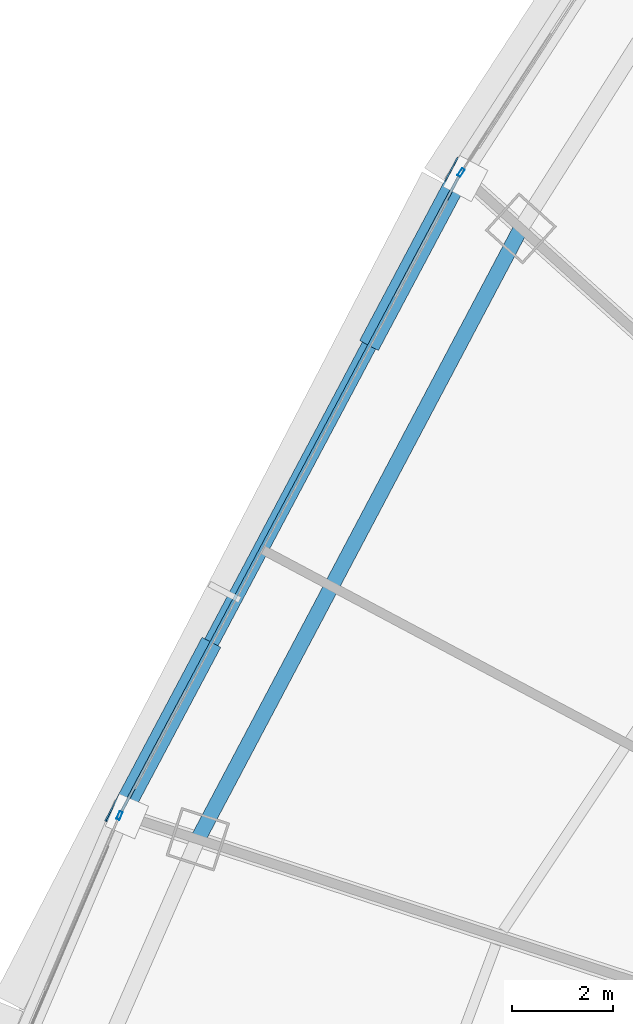
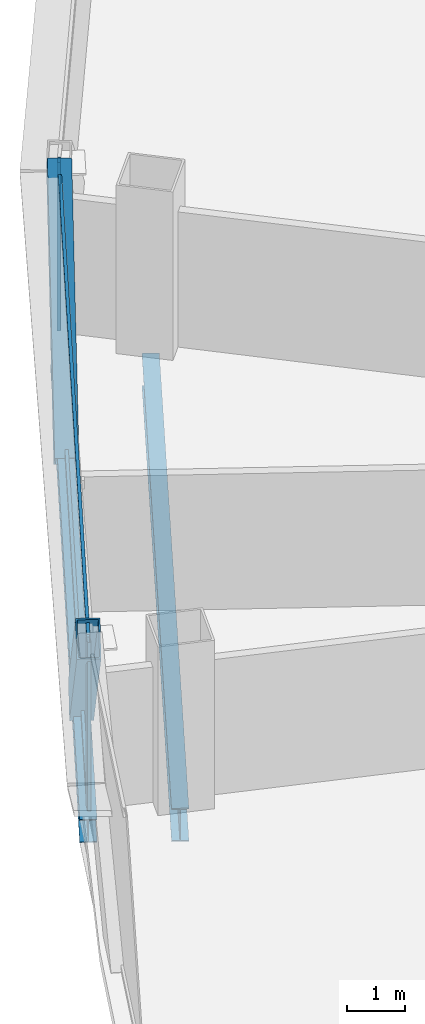
# One storey, part 14 of 36: 6 members, 2 beams, 3 elements without a shape of their own.
"""IFC4 building model written with IfcOpenShell, lengths in metres."""

from ifc_helpers import new_model, si_unit, direction, frame, origin, origin_2d, place, context, subcontext, project, spatial, hollow_rectangle, i_section, extrude, source, transform, mapped, material, layer, layer_set, material_profile, profile_set, type_object, element, aggregate, save


model = new_model("IFC4")

# Units and contexts
model_context = context("Model", 3, precision=1e-05, world=origin(), true_north=direction((0.0, 1.0)))
body_context = subcontext(model_context, "Body", "Model", "MODEL_VIEW")
ifc_project = project(units=[si_unit("LENGTHUNIT", "METRE"), si_unit("AREAUNIT", "SQUARE_METRE"), si_unit("VOLUMEUNIT", "CUBIC_METRE"), si_unit("PLANEANGLEUNIT", "RADIAN"), si_unit("MASSUNIT", "GRAM", prefix="KILO"), si_unit("THERMODYNAMICTEMPERATUREUNIT", "KELVIN"), si_unit("POWERUNIT", "WATT")], contexts=[model_context])

# Site, building, storey
site_placement = place(None, origin())
site = spatial("IfcSite", under=ifc_project, at=site_placement, CompositionType="ELEMENT")
building_placement = place(site_placement, origin())
building = spatial("IfcBuilding", under=site, at=building_placement, Name="Yunzhuo Pagoda Commons", CompositionType="ELEMENT")
storey_placement = place(building_placement, frame((0.0, 0.0, 107.780029296875)))
storey = spatial("IfcBuildingStorey", under=building, at=storey_placement, Name="L27", CompositionType="ELEMENT", Elevation=107.780029296875)

# Beams
ifc_material_1 = material(Name="Structural steel Q355B", Category="steel")
ifc_material_profile_1 = material_profile(ifc_material_1, i_section(OverallWidth=0.300048828125, OverallDepth=0.699951171875, WebThickness=0.012939453125, FlangeThickness=0.02392578125, at=origin_2d()), Name="Structural steel Q355B")
ifc_profile_set_1 = profile_set([ifc_material_profile_1], Name="Structural steel Q355B")
beam_type_1 = type_object("IfcBeamType", Name="B-RG1 Beam HN 700x300x13x24", PredefinedType="BEAM", material=ifc_profile_set_1)
shared_shape_1 = source(origin(), body_context, "Body", "SweptSolid", [
    extrude(i_section(OverallWidth=0.300048828125, OverallDepth=0.699951171875, WebThickness=0.012939453125, FlangeThickness=0.02392578125, at=origin_2d()), origin(), (0.0, 0.0, 1.0), 13.66748046875),
])
beam_1_placement = place(storey_placement, frame((23.397216796875, 55.852294921875, -0.610107421875), z_axis=(-0.467383716456, -0.88405455804, 0.0), x_axis=(0.88405455804, -0.467383716456, 0.0)))
element("IfcBeam", 1, at=beam_1_placement, inside=storey, type_object=beam_type_1, Name="L27 column-ring beam 10", PredefinedType="BEAM", context=body_context, shape_type="MappedRepresentation", body=[
    mapped(shared_shape_1, transform((0.0, 0.0, 0.0), scale=1.0)),
])
ifc_material_profile_2 = material_profile(ifc_material_1, i_section(OverallWidth=0.300048828125, OverallDepth=0.488037109375, WebThickness=0.010986328125, FlangeThickness=0.01806640625, at=origin_2d()), Name="Structural steel Q355B")
ifc_profile_set_2 = profile_set([ifc_material_profile_2], Name="Structural steel Q355B")
beam_type_2 = type_object("IfcBeamType", Name="B-SP1 Beam HM 488x300x11x18", PredefinedType="BEAM", material=ifc_profile_set_2)
shared_shape_2 = source(origin(), body_context, "Body", "SweptSolid", [
    extrude(i_section(OverallWidth=0.300048828125, OverallDepth=0.488037109375, WebThickness=0.010986328125, FlangeThickness=0.01806640625, at=origin_2d()), origin(), (0.0, 0.0, 1.0), 14.33837890625),
])
beam_2_placement = place(storey_placement, frame((22.198974609375, 56.931640625, -0.504150390625), z_axis=(-0.469097542789, -0.883146361228, 0.0), x_axis=(0.883146361228, -0.469097542789, 0.0)))
element("IfcBeam", 2, at=beam_2_placement, inside=storey, type_object=beam_type_2, Name="L27 facade edge spandrel beam F3.2", PredefinedType="BEAM", context=body_context, shape_type="MappedRepresentation", body=[
    mapped(shared_shape_2, transform((0.0, 0.0, 0.0), scale=1.0)),
])

# Members
ifc_material_2 = material(Name="Structural steel Q420B", Category="steel")
ifc_material_profile_3 = material_profile(ifc_material_2, hollow_rectangle(XDim=0.419921875, YDim=0.719970703125, WallThickness=0.028076171875, at=origin_2d()), Name="Structural steel Q420B")
ifc_profile_set_3 = profile_set([ifc_material_profile_3], Name="Structural steel Q420B")
member_type_1 = type_object("IfcMemberType", Name="M-DL1 Brace BOX 720x420x28", PredefinedType="BRACE", material=ifc_profile_set_3)
shared_shape_3 = source(origin(), body_context, "Body", "SweptSolid", [
    extrude(hollow_rectangle(XDim=0.419921875, YDim=0.719970703125, WallThickness=0.028076171875, at=origin_2d()), origin(), (0.0, 0.0, 1.0), 5.2236328125),
])
member_1_placement = place(storey_placement, frame((17.154296875, 47.434326171875, -0.259765625), z_axis=(-0.321883577499, -0.606002971664, 0.72742790768), x_axis=(0.883149228859, -0.469092144004, 0.0)))
element("IfcMember", 3, at=member_1_placement, inside=storey, type_object=member_type_1, Name="L27 facade diamond brace F3.2R", PredefinedType="BRACE", context=body_context, shape_type="MappedRepresentation", body=[
    mapped(shared_shape_3, transform((0.0, 0.0, 0.0), scale=1.0)),
])
shared_shape_4 = source(origin(), body_context, "Body", "SweptSolid", [
    extrude(hollow_rectangle(XDim=0.419921875, YDim=0.719970703125, WallThickness=0.028076171875, at=origin_2d()), origin(), (0.0, 0.0, 1.0), 5.223876953125),
])
member_2_placement = place(storey_placement, frame((20.51708984375, 53.765869140625, -0.259765625), z_axis=(0.321958245905, 0.606014308992, 0.727385417225), x_axis=(-0.883107783345, 0.469170164222, 0.0)))
element("IfcMember", 4, at=member_2_placement, inside=storey, type_object=member_type_1, Name="L27 facade diamond brace F3.2L", PredefinedType="BRACE", context=body_context, shape_type="MappedRepresentation", body=[
    mapped(shared_shape_4, transform((0.0, 0.0, 0.0), scale=1.0)),
])

# Curtain wall, member
ifc_material_3 = material(Name="Anodized aluminium 6063-T6", Category="aluminium")
ifc_layer = layer(ifc_material_3, 0.1650390625)
ifc_layer_set = layer_set([ifc_layer], Name="Anodized aluminium 6063-T6")
curtain_wall_type = type_object("IfcCurtainWallType", Name="CW-LOW Low-Zone Ribbon Curtain Wall", PredefinedType="NOTDEFINED", material=ifc_layer_set)
curtain_wall_1_placement = place(storey_placement, origin())
curtain_wall_1 = element("IfcCurtainWall", 5, at=curtain_wall_1_placement, inside=storey, type_object=curtain_wall_type, Name="L27 curtain wall CW-L27-F3B2", PredefinedType="NOTDEFINED")
ifc_material_profile_4 = material_profile(ifc_material_3, hollow_rectangle(XDim=0.06494140625, YDim=0.1650390625, WallThickness=0.00390625, at=origin_2d()), Name="Anodized aluminium 6063-T6")
ifc_profile_set_4 = profile_set([ifc_material_profile_4], Name="Anodized aluminium 6063-T6")
member_type_2 = type_object("IfcMemberType", Name="CW-LOW-M Mullion RHS 165x65x4", PredefinedType="MULLION", material=ifc_profile_set_4)
shared_shape_5 = source(origin(), body_context, "Body", "SweptSolid", [
    extrude(hollow_rectangle(XDim=0.06494140625, YDim=0.1650390625, WallThickness=0.00390625, at=origin_2d()), origin(), (0.0, 0.0, 1.0), 3.5400390625),
])
member_3_placement = place(storey_placement, frame((22.21630859375, 56.958984375, 0.0), z_axis=(0.0, 0.0, 1.0), x_axis=(0.839039875799, -0.544069928244, 0.0)))
member_3 = element("IfcMember", 6, at=member_3_placement, type_object=member_type_2, Name="CW mullion 2", PredefinedType="MULLION", context=body_context, shape_type="MappedRepresentation", body=[
    mapped(shared_shape_5, transform((0.0, 0.0, 0.0), scale=1.0)),
])
aggregate(curtain_wall_1, [member_3])

curtain_wall_2_placement = place(storey_placement, origin())
curtain_wall_2 = element("IfcCurtainWall", 7, at=curtain_wall_2_placement, inside=storey, type_object=curtain_wall_type, Name="L27 curtain wall CW-L27-F3B4", PredefinedType="NOTDEFINED")
member_4_placement = place(storey_placement, frame((15.4599609375, 44.239013671875, 0.0), z_axis=(0.0, 0.0, 1.0), x_axis=(0.919516302226, -0.39305186673, 0.0)))
member_4 = element("IfcMember", 8, at=member_4_placement, type_object=member_type_2, Name="CW mullion 1", PredefinedType="MULLION", context=body_context, shape_type="MappedRepresentation", body=[
    mapped(shared_shape_5, transform((0.0, 0.0, 0.0), scale=1.0)),
])
aggregate(curtain_wall_2, [member_4])

# Curtain wall, members
curtain_wall_3_placement = place(storey_placement, origin())
curtain_wall_3 = element("IfcCurtainWall", 9, at=curtain_wall_3_placement, inside=storey, type_object=curtain_wall_type, Name="L27 curtain wall CW-L27-F3B3", PredefinedType="NOTDEFINED")
ifc_material_profile_5 = material_profile(ifc_material_3, hollow_rectangle(XDim=0.06005859375, YDim=0.139892578125, WallThickness=0.00341796875, at=origin_2d()), Name="Anodized aluminium 6063-T6")
ifc_profile_set_5 = profile_set([ifc_material_profile_5], Name="Anodized aluminium 6063-T6")
member_type_3 = type_object("IfcMemberType", Name="CW-LOW-T Transom RHS 140x60x3.5", PredefinedType="USERDEFINED", material=ifc_profile_set_5)
shared_shape_6 = source(origin(), body_context, "Body", "SweptSolid", [
    extrude(hollow_rectangle(XDim=0.06005859375, YDim=0.139892578125, WallThickness=0.00341796875, at=origin_2d()), origin(), (0.0, 0.0, 1.0), 14.208251953125),
])
member_5_placement = place(storey_placement, frame((22.168212890625, 56.874267578125, 0.030029296875), z_axis=(-0.469092827222, -0.883148865961, 0.0), x_axis=(0.883148865961, -0.469092827222, 0.0)))
member_5 = element("IfcMember", 10, at=member_5_placement, type_object=member_type_3, Name="CW transom 1.1", ObjectType="TRANSOM", PredefinedType="USERDEFINED", context=body_context, shape_type="MappedRepresentation", body=[
    mapped(shared_shape_6, transform((0.0, 0.0, 0.0), scale=1.0)),
])
member_6_placement = place(storey_placement, frame((22.168212890625, 56.874267578125, 3.510009765625), z_axis=(-0.469092827222, -0.883148865961, 0.0), x_axis=(0.883148865961, -0.469092827222, 0.0)))
member_6 = element("IfcMember", 11, at=member_6_placement, type_object=member_type_3, Name="CW transom 1.2", ObjectType="TRANSOM", PredefinedType="USERDEFINED", context=body_context, shape_type="MappedRepresentation", body=[
    mapped(shared_shape_6, transform((0.0, 0.0, 0.0), scale=1.0)),
])
aggregate(curtain_wall_3, [member_5, member_6])

save(model, "model.ifc")
